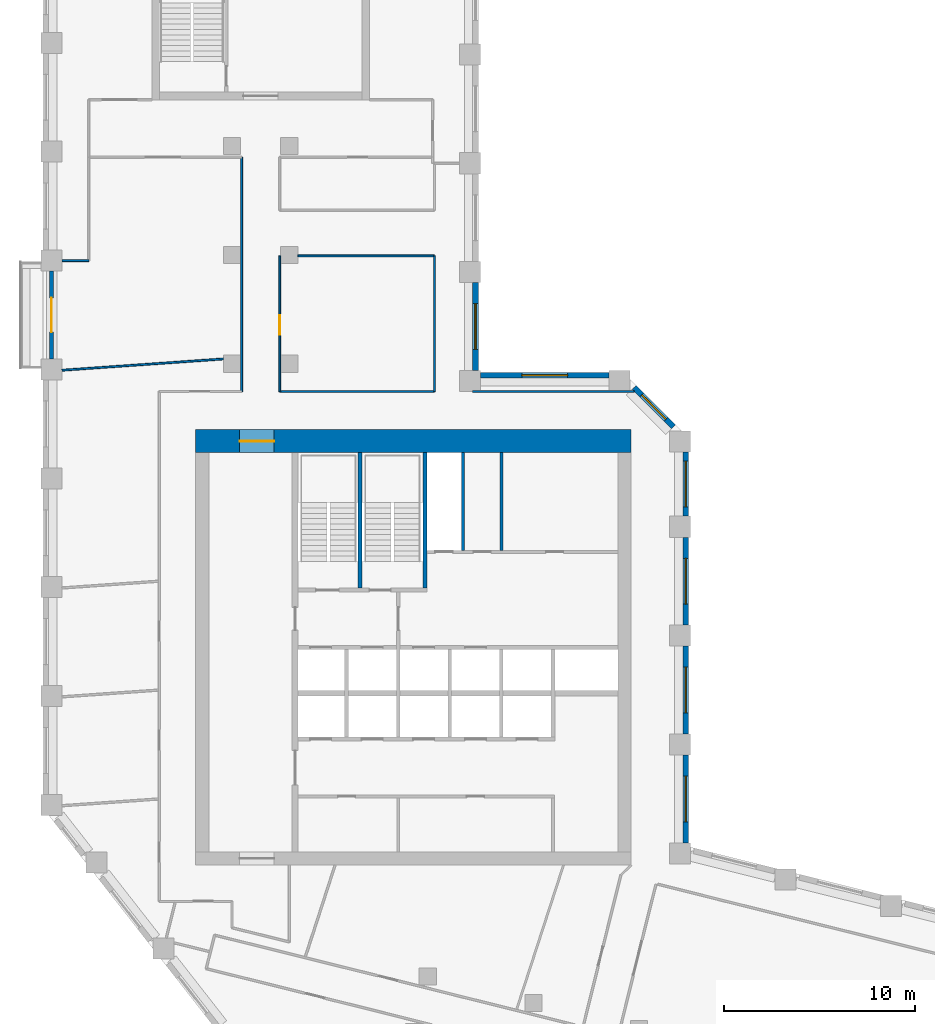
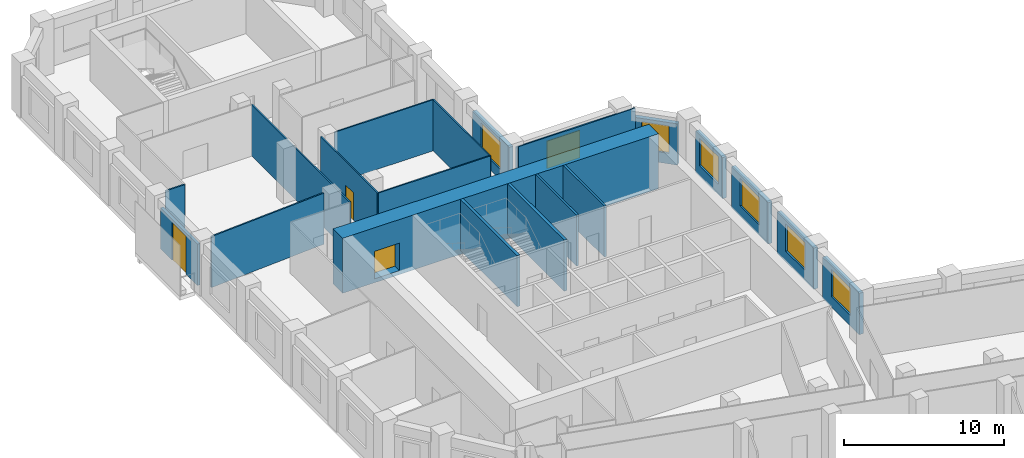
# One storey, part 6 of 10: 21 walls, 7 windows, 3 doors, 10 openings.
"""IFC4 building model written with IfcOpenShell, lengths in metres."""

import ifcopenshell
import ifcopenshell.guid

model = None  # the IFC model being written
_history = None  # IfcOwnerHistory: only IFC2X3 demands one
_inside = {}  # id of a spatial element -> (the spatial element, [elements in it])
_under = {}  # id of a project, library or spatial element -> (it, [spatial elements below it])
_declared = {}  # id of a project -> (the project, [libraries it declares])
_typed = {}  # id of a type object -> (the type object, [elements of that type])
_made_of = {}  # id of a material, layer set ... -> (it, [elements and type objects made of it])


def new_model(schema):
    """Start an empty IFC model of exactly this schema.

    Asked for "IFC4X3", IfcOpenShell would pick the latest addendum, in which some entities
    have other attributes; the version numbers below select the first issue.
    IFC2X3 requires an IfcOwnerHistory on every rooted entity: one is made here for all.
    """
    global model, _history
    if schema == "IFC4X3":
        model = ifcopenshell.file(schema_version=(4, 3, 0, 0))
    else:
        model = ifcopenshell.file(schema=schema)
    _inside.clear()
    _under.clear()
    _declared.clear()
    _typed.clear()
    _made_of.clear()
    _history = None
    if model.schema == "IFC2X3":
        org = make("IfcOrganization", Name="unknown")
        user = make(
            "IfcPersonAndOrganization",
            ThePerson=make("IfcPerson", FamilyName="unknown"),
            TheOrganization=org,
        )
        app = make(
            "IfcApplication",
            ApplicationDeveloper=org,
            Version="unknown",
            ApplicationFullName="unknown",
            ApplicationIdentifier="unknown",
        )
        _history = make(
            "IfcOwnerHistory",
            OwningUser=user,
            OwningApplication=app,
            ChangeAction="ADDED",
            CreationDate=0,
        )
    return model


def make(cls, **values):
    """One entity of the class cls with the attributes given. An attribute that is None is left unset."""
    return model.create_entity(
        cls, **{name: value for name, value in values.items() if value is not None}
    )


def rooted(cls, **values):
    """An entity with a GlobalId (a new one), such as an element, a storey or a relation."""
    return make(cls, GlobalId=ifcopenshell.guid.new(), OwnerHistory=_history, **values)


def si_unit(unit_type, name, prefix=None):
    """IfcSIUnit, for example si_unit("LENGTHUNIT", "METRE", prefix="MILLI")."""
    return make("IfcSIUnit", UnitType=unit_type, Prefix=prefix, Name=name)


def assignment(units):
    """IfcUnitAssignment: the units of a project."""
    return None if units is None else make("IfcUnitAssignment", Units=units)


def point(xyz):
    """IfcCartesianPoint."""
    return None if xyz is None else make("IfcCartesianPoint", Coordinates=xyz)


def direction(xyz):
    """IfcDirection."""
    return None if xyz is None else make("IfcDirection", DirectionRatios=xyz)


def frame(location, z_axis=None, x_axis=None):
    """IfcAxis2Placement3D, a coordinate frame: its origin and axes. An axis left out is left unset."""
    return make(
        "IfcAxis2Placement3D",
        Location=point(location),
        Axis=direction(z_axis),
        RefDirection=direction(x_axis),
    )


def frame_2d(location, x_axis=None):
    """IfcAxis2Placement2D, a coordinate frame in the plane: its origin and x axis."""
    return make(
        "IfcAxis2Placement2D", Location=point(location), RefDirection=direction(x_axis)
    )


def origin():
    """The frame at (0, 0, 0) with its axes left unset."""
    return frame((0.0, 0.0, 0.0))


def place(relative_to, where):
    """IfcLocalPlacement: puts the frame where relative to a parent placement (None: the world)."""
    return make(
        "IfcLocalPlacement", PlacementRelTo=relative_to, RelativePlacement=where
    )


def context(
    kind, dimensions, precision=None, world=None, true_north=None, identifier=None
):
    """IfcGeometricRepresentationContext, for example the 3D "Model" context."""
    return make(
        "IfcGeometricRepresentationContext",
        ContextIdentifier=identifier,
        ContextType=kind,
        CoordinateSpaceDimension=dimensions,
        Precision=precision,
        WorldCoordinateSystem=world,
        TrueNorth=true_north,
    )


def subcontext(parent, identifier, kind, view, scale=None):
    """IfcGeometricRepresentationSubContext, for example "Body" below "Model"."""
    return make(
        "IfcGeometricRepresentationSubContext",
        ContextIdentifier=identifier,
        ContextType=kind,
        ParentContext=parent,
        TargetScale=scale,
        TargetView=view,
    )


def project(units=None, contexts=None):
    """IfcProject with its units and contexts."""
    return rooted(
        "IfcProject",
        Name="project",
        RepresentationContexts=contexts,
        UnitsInContext=assignment(units),
    )


def spatial(cls, under=None, at=None, **own):
    """A site, building, storey or space (cls), placed at a placement, below another one or the project."""
    s = rooted(cls, ObjectPlacement=at, **own)
    if under is not None:
        _under.setdefault(under.id(), (under, []))[1].append(s)
    return s


def profile(cls, at=None, kind="AREA", **sizes):
    """A parametric profile (cls). Its sizes go by their IFC names, for example OverallWidth=200.0."""
    return make(cls, ProfileType=kind, Position=at, **sizes)


def rectangle(**sizes):
    """IfcRectangleProfileDef."""
    return profile("IfcRectangleProfileDef", **sizes)


def extrude(swept, where, along, depth):
    """IfcExtrudedAreaSolid: the profile swept, set in the frame where, extruded along a direction by depth."""
    return make(
        "IfcExtrudedAreaSolid",
        SweptArea=swept,
        Position=where,
        ExtrudedDirection=direction(along),
        Depth=depth,
    )


def shape(context_of_items, identifier, shape_type, items):
    """IfcShapeRepresentation: the items that make up one representation, for example the "Body"."""
    return make(
        "IfcShapeRepresentation",
        ContextOfItems=context_of_items,
        RepresentationIdentifier=identifier,
        RepresentationType=shape_type,
        Items=items,
    )


def material(Name=None, Category=None):
    """IfcMaterial."""
    return make("IfcMaterial", Name=Name, Category=Category)


def layer(
    of_material, thickness, ventilated=None, Name=None, Category=None, Priority=None
):
    """IfcMaterialLayer: one layer of a wall or slab, of a material (None: an air gap)."""
    return make(
        "IfcMaterialLayer",
        Material=of_material,
        LayerThickness=thickness,
        IsVentilated=ventilated,
        Name=Name,
        Category=Category,
        Priority=Priority,
    )


def layer_set(layers, Name=None):
    """IfcMaterialLayerSet."""
    return make("IfcMaterialLayerSet", MaterialLayers=layers, LayerSetName=Name)


def made_of(thing, what):
    """Note that an element or type object is made of a material, layer set ...; save() writes the relation."""
    if what is not None:
        _made_of.setdefault(what.id(), (what, []))[1].append(thing)
    return thing


def type_object(cls, material=None, **own):
    """A type object (cls), such as IfcWallType, which elements share."""
    return made_of(rooted(cls, **own), material)


def element(
    cls,
    number,
    at=None,
    inside=None,
    cuts=None,
    type_object=None,
    material=None,
    context=None,
    identifier="Body",
    shape_type=None,
    held_by="IfcProductDefinitionShape",
    body=None,
    shapes=None,
    **own,
):
    """One element of the class cls, such as IfcWall. Its Tag is "e" and its number.

    at: its placement. inside: the storey or other place that contains it. cuts: it is an
    opening in that element (IfcRelVoidsElement). A single representation is given by context,
    identifier, shape_type and body (its items); several are given by shapes. held_by: the class
    of the entity that holds the representations. save() writes the other relations.
    """
    e = rooted(cls, Tag="e%d" % number, ObjectPlacement=at, **own)
    if body is not None:
        shapes = [shape(context, identifier, shape_type, body)]
    if shapes is not None:
        e.Representation = make(held_by, Representations=shapes)
    if inside is not None:
        _inside.setdefault(inside.id(), (inside, []))[1].append(e)
    if cuts is not None:
        rooted(
            "IfcRelVoidsElement", RelatingBuildingElement=cuts, RelatedOpeningElement=e
        )
    if type_object is not None:
        _typed.setdefault(type_object.id(), (type_object, []))[1].append(e)
    return made_of(e, material)


def fill(opening, filler):
    """IfcRelFillsElement: the door or window that sits in an opening."""
    return rooted(
        "IfcRelFillsElement",
        RelatingOpeningElement=opening,
        RelatedBuildingElement=filler,
    )


def aggregate(whole, parts):
    """IfcRelAggregates: a whole, such as a stair, and the parts it consists of."""
    return rooted("IfcRelAggregates", RelatingObject=whole, RelatedObjects=parts)


def save(model, path):
    """Write the relations noted so far, then the file.

    IfcRelAggregates (storeys below a building ...), IfcRelContainedInSpatialStructure (elements
    in a storey), IfcRelDefinesByType, IfcRelAssociatesMaterial and IfcRelDeclares: one each for
    every whole, place, type object, material and project.
    """
    for whole, parts in _under.values():
        aggregate(whole, parts)
    for where, things in _inside.values():
        rooted(
            "IfcRelContainedInSpatialStructure",
            RelatedElements=things,
            RelatingStructure=where,
        )
    for kind, things in _typed.values():
        rooted("IfcRelDefinesByType", RelatedObjects=things, RelatingType=kind)
    for what, things in _made_of.values():
        rooted("IfcRelAssociatesMaterial", RelatedObjects=things, RelatingMaterial=what)
    for by, libraries in _declared.values():
        rooted("IfcRelDeclares", RelatingContext=by, RelatedDefinitions=libraries)
    model.write(path)


model = new_model("IFC4")

# Units and contexts
model_context = context("Model", 3, precision=1e-05, world=origin(), true_north=direction((0.0, 1.0)))
body_context = subcontext(model_context, "Body", "Model", "MODEL_VIEW")
ifc_project = project(units=[si_unit("LENGTHUNIT", "METRE"), si_unit("AREAUNIT", "SQUARE_METRE"), si_unit("VOLUMEUNIT", "CUBIC_METRE"), si_unit("PLANEANGLEUNIT", "RADIAN"), si_unit("MASSUNIT", "GRAM", prefix="KILO")], contexts=[model_context])

# Site, building, storey
site_placement = place(None, origin())
site = spatial("IfcSite", under=ifc_project, at=site_placement, CompositionType="ELEMENT")
building_placement = place(site_placement, origin())
building = spatial("IfcBuilding", under=site, at=building_placement, Name="Meshkara Civic Tower", CompositionType="ELEMENT")
storey_placement = place(building_placement, frame((0.0, 0.0, 238.199951171875)))
storey = spatial("IfcBuildingStorey", under=building, at=storey_placement, Name="L54", CompositionType="ELEMENT", Elevation=238.199951171875)

# Walls
ifc_material_1 = material(Name="Blockwork", Category="masonry")
ifc_layer_1 = layer(ifc_material_1, 0.14990234375)
ifc_layer_set_1 = layer_set([ifc_layer_1], Name="Core partition 150")
wall_type_1 = type_object("IfcWallType", Name="Core partition 150", PredefinedType="PARTITIONING", material=ifc_layer_set_1)
for number, where, z_axis, x_axis, name in (
    (1, (22.0, 30.574951171875, 0.0), (0.0, 0.0, 1.0), (0.0, 1.0, 0.0), "L54-C018"),
    (2, (24.0, 30.574951171875, 0.0), (0.0, 0.0, 1.0), (0.0, 1.0, 0.0), "L54-C020"),
):
    element("IfcWall", number, at=place(storey_placement, frame(where, z_axis=z_axis, x_axis=x_axis)), inside=storey, type_object=wall_type_1, Name=name, PredefinedType="PARTITIONING", context=body_context, shape_type="SweptSolid", body=[
        extrude(rectangle(XDim=5.125, YDim=0.14990234375, at=frame_2d((2.5625, 0.0))), origin(), (0.0, 0.0, 1.0), 3.900146484375),
    ])

# Wall, opening, door
ifc_material_2 = material(Name="Concrete C60", Category="concrete")
ifc_layer_2 = layer(ifc_material_2, 1.199951171875)
ifc_layer_set_2 = layer_set([ifc_layer_2], Name="Core ring wall 1200 C60")
wall_type_2 = type_object("IfcWallType", Name="Core ring wall 1200 C60", PredefinedType="SHEAR", material=ifc_layer_set_2)
wall_1_placement = place(storey_placement, frame((8.0, 36.300048828125, -0.300048828125), z_axis=(0.0, 0.0, 1.0), x_axis=(1.0, 0.0, 0.0)))
wall_1 = element("IfcWall", 3, at=wall_1_placement, inside=storey, type_object=wall_type_2, Name="L54-C002", PredefinedType="SHEAR", context=body_context, shape_type="SweptSolid", body=[
    extrude(rectangle(XDim=22.800048828125, YDim=1.199951171875, at=frame_2d((11.39990234375, 0.0))), origin(), (0.0, 0.0, 1.0), 4.2001953125),
])
opening_1_placement = place(wall_1_placement, frame((2.300048828125, 0.0, 0.300048828125)))
opening_1 = element("IfcOpeningElement", 4, at=opening_1_placement, cuts=wall_1, Name="Opening L54-K020", PredefinedType="OPENING", context=body_context, shape_type="SweptSolid", body=[
    extrude(rectangle(XDim=1.800048828125, YDim=2.10009765625, at=frame_2d((0.89990234375, 1.050048828125))), frame((0.0, 0.60986328125, 0.0), z_axis=(0.0, -1.0, 0.0), x_axis=(1.0, 0.0, 0.0)), (0.0, 0.0, 1.0), 1.219970703125),
])
ifc_material_3 = material(Name="Fire-rated door leaf in steel frame", Category="steel")
door_type_1 = type_object("IfcDoorType", Name="Core double door 1800 EI 60", OperationType="DOUBLE_DOOR_SINGLE_SWING", PredefinedType="DOOR", material=ifc_material_3)
door_1_placement = place(opening_1_placement, origin())
door_1 = element("IfcDoor", 5, at=door_1_placement, inside=storey, type_object=door_type_1, Name="L54-K020", OperationType="DOUBLE_DOOR_SINGLE_SWING", OverallHeight=2.10009765625, OverallWidth=1.800048828125, PredefinedType="DOOR", context=body_context, shape_type="SweptSolid", body=[
    extrude(rectangle(XDim=1.800048828125, YDim=2.10009765625, at=frame_2d((0.89990234375, 1.050048828125))), frame((0.0, 0.02490234375, 0.0), z_axis=(0.0, -1.0, 0.0), x_axis=(1.0, 0.0, 0.0)), (0.0, 0.0, 1.0), 0.050048828125),
])
fill(opening_1, door_1)

# Wall
ifc_material_4 = material(Name="Corridor wall 100")
ifc_layer_3 = layer(ifc_material_4, 0.10009765625)
ifc_layer_set_3 = layer_set([ifc_layer_3], Name="Corridor wall 100")
wall_type_3 = type_object("IfcWallType", Name="Corridor wall 100", PredefinedType="PARTITIONING", material=ifc_layer_set_3)
wall_2_placement = place(storey_placement, frame((10.39990234375, 51.169921875, 0.0), z_axis=(0.0, 0.0, 1.0), x_axis=(0.0, -1.0, 0.0)))
element("IfcWall", 6, at=wall_2_placement, inside=storey, type_object=wall_type_3, Name="L54-W012", PredefinedType="PARTITIONING", context=body_context, shape_type="SweptSolid", body=[
    extrude(rectangle(XDim=12.27001953125, YDim=0.10009765625, at=frame_2d((6.135009765625, 0.0))), origin(), (0.0, 0.0, 1.0), 3.900146484375),
])

# Wall, opening, door
wall_3_placement = place(storey_placement, frame((12.39990234375, 38.89990234375, 0.0), z_axis=(0.0, 0.0, 1.0), x_axis=(0.0, 1.0, 0.0)))
wall_3 = element("IfcWall", 7, at=wall_3_placement, inside=storey, type_object=wall_type_3, Name="L54-W013", PredefinedType="PARTITIONING", context=body_context, shape_type="SweptSolid", body=[
    extrude(rectangle(XDim=7.09619140625, YDim=0.10009765625, at=frame_2d((3.548095703125, 0.0))), origin(), (0.0, 0.0, 1.0), 3.900146484375),
])
opening_2_placement = place(wall_3_placement, frame((2.97998046875, 0.0, 0.0)))
opening_2 = element("IfcOpeningElement", 8, at=opening_2_placement, cuts=wall_3, Name="Opening L54-D018", PredefinedType="OPENING", context=body_context, shape_type="SweptSolid", body=[
    extrude(rectangle(XDim=1.0, YDim=2.10009765625, at=frame_2d((0.5, 1.050048828125))), frame((0.0, 0.06005859375, 0.0), z_axis=(0.0, -1.0, 0.0), x_axis=(1.0, 0.0, 0.0)), (0.0, 0.0, 1.0), 0.1201171875),
])
ifc_material_5 = material(Name="Door 1000 x 2100")
door_type_2 = type_object("IfcDoorType", Name="Door 1000 x 2100", OperationType="SINGLE_SWING_LEFT", PredefinedType="DOOR", material=ifc_material_5)
door_2_placement = place(opening_2_placement, origin())
door_2 = element("IfcDoor", 9, at=door_2_placement, inside=storey, type_object=door_type_2, Name="L54-D018", OperationType="SINGLE_SWING_RIGHT", OverallHeight=2.10009765625, OverallWidth=1.0, PredefinedType="DOOR", context=body_context, shape_type="SweptSolid", body=[
    extrude(rectangle(XDim=1.0, YDim=2.10009765625, at=frame_2d((0.5, 1.050048828125))), frame((0.0, 0.02490234375, 0.0), z_axis=(0.0, -1.0, 0.0), x_axis=(1.0, 0.0, 0.0)), (0.0, 0.0, 1.0), 0.050048828125),
])
fill(opening_2, door_2)

# Walls
wall_4_placement = place(storey_placement, frame((13.35009765625, 46.0, 0.0), z_axis=(0.0, 0.0, 1.0), x_axis=(1.0, 0.0, 0.0)))
element("IfcWall", 10, at=wall_4_placement, inside=storey, type_object=wall_type_3, Name="L54-W017", PredefinedType="PARTITIONING", context=body_context, shape_type="SweptSolid", body=[
    extrude(rectangle(XDim=7.14990234375, YDim=0.10009765625, at=frame_2d((3.574951171875, 0.0))), origin(), (0.0, 0.0, 1.0), 3.900146484375),
])
wall_5_placement = place(storey_placement, frame((20.5, 38.89990234375, 0.0), z_axis=(0.0, 0.0, 1.0), x_axis=(-1.0, 0.0, 0.0)))
element("IfcWall", 11, at=wall_5_placement, inside=storey, type_object=wall_type_3, Name="L54-W020", PredefinedType="PARTITIONING", context=body_context, shape_type="SweptSolid", body=[
    extrude(rectangle(XDim=8.10009765625, YDim=0.10009765625, at=frame_2d((4.050048828125, 0.0))), origin(), (0.0, 0.0, 1.0), 3.900146484375),
])
wall_6_placement = place(storey_placement, frame((20.5, 46.0, 0.0), z_axis=(0.0, 0.0, 1.0), x_axis=(0.0, -1.0, 0.0)))
element("IfcWall", 12, at=wall_6_placement, inside=storey, type_object=wall_type_3, Name="L54-W021", PredefinedType="PARTITIONING", context=body_context, shape_type="SweptSolid", body=[
    extrude(rectangle(XDim=7.10009765625, YDim=0.10009765625, at=frame_2d((3.550048828125, 0.0))), origin(), (0.0, 0.0, 1.0), 3.900146484375),
])
wall_7_placement = place(storey_placement, frame((30.9560546875, 38.89990234375, 0.0), z_axis=(0.0, 0.0, 1.0), x_axis=(-1.0, 0.0, 0.0)))
element("IfcWall", 13, at=wall_7_placement, inside=storey, type_object=wall_type_3, Name="L54-W029", PredefinedType="PARTITIONING", context=body_context, shape_type="SweptSolid", body=[
    extrude(rectangle(XDim=8.4560546875, YDim=0.10009765625, at=frame_2d((4.22802734375, 0.0))), origin(), (0.0, 0.0, 1.0), 3.900146484375),
])

# Wall, opening, window
ifc_material_6 = material(Name="Insulated infill panel with bronze anodised aluminium cladding", Category="aluminium")
ifc_layer_4 = layer(ifc_material_6, 0.300048828125)
ifc_layer_set_4 = layer_set([ifc_layer_4], Name="EXTERNAL INFILL WALL 300")
wall_type_4 = type_object("IfcWallType", Name="EXTERNAL INFILL WALL 300", PredefinedType="SOLIDWALL", material=ifc_layer_set_4)
wall_8_placement = place(storey_placement, frame((33.64990234375, 15.26904296875, 0.0), z_axis=(0.0, 0.0, 1.0), x_axis=(0.0, 1.0, 0.0)))
wall_8 = element("IfcWall", 14, at=wall_8_placement, inside=storey, type_object=wall_type_4, Name="External wall", PredefinedType="SOLIDWALL", context=body_context, shape_type="SweptSolid", body=[
    extrude(rectangle(XDim=4.599853515625, YDim=0.300048828125, at=frame_2d((2.2998046875, 0.0))), origin(), (0.0, 0.0, 1.0), 3.150146484375),
])
opening_3_placement = place(wall_8_placement, frame((1.10009765625, 0.0, 0.800048828125)))
opening_3 = element("IfcOpeningElement", 15, at=opening_3_placement, cuts=wall_8, Name="Opening W7", PredefinedType="OPENING", context=body_context, shape_type="SweptSolid", body=[
    extrude(rectangle(XDim=2.39990234375, YDim=2.10009765625, at=frame_2d((1.199951171875, 1.050048828125))), frame((0.0, 0.159912109375, 0.0), z_axis=(0.0, -1.0, 0.0), x_axis=(1.0, 0.0, 0.0)), (0.0, 0.0, 1.0), 0.320068359375),
])
ifc_material_7 = material(Name="Tinted double glazing", Category="glass")
window_type_1 = type_object("IfcWindowType", Name="WINDOW 2400x2100", PartitioningType="DOUBLE_PANEL_VERTICAL", PredefinedType="WINDOW", material=ifc_material_7)
window_1_placement = place(opening_3_placement, origin())
window_1 = element("IfcWindow", 16, at=window_1_placement, inside=storey, type_object=window_type_1, Name="Window", OverallHeight=2.10009765625, OverallWidth=2.39990234375, PartitioningType="DOUBLE_PANEL_VERTICAL", PredefinedType="WINDOW", context=body_context, shape_type="SweptSolid", body=[
    extrude(rectangle(XDim=2.39990234375, YDim=2.10009765625, at=frame_2d((1.199951171875, 1.050048828125))), frame((0.0, 0.030029296875, 0.0), z_axis=(0.0, -1.0, 0.0), x_axis=(1.0, 0.0, 0.0)), (0.0, 0.0, 1.0), 0.06005859375),
])
fill(opening_3, window_1)

wall_9_placement = place(storey_placement, frame((33.64990234375, 20.968994140625, 0.0), z_axis=(0.0, 0.0, 1.0), x_axis=(0.0, 1.0, 0.0)))
wall_9 = element("IfcWall", 17, at=wall_9_placement, inside=storey, type_object=wall_type_4, Name="External wall", PredefinedType="SOLIDWALL", context=body_context, shape_type="SweptSolid", body=[
    extrude(rectangle(XDim=4.60009765625, YDim=0.300048828125, at=frame_2d((2.300048828125, 0.0))), origin(), (0.0, 0.0, 1.0), 3.150146484375),
])
opening_4_placement = place(wall_9_placement, frame((1.10009765625, 0.0, 0.800048828125)))
opening_4 = element("IfcOpeningElement", 18, at=opening_4_placement, cuts=wall_9, Name="Opening W7", PredefinedType="OPENING", context=body_context, shape_type="SweptSolid", body=[
    extrude(rectangle(XDim=2.39990234375, YDim=2.10009765625, at=frame_2d((1.199951171875, 1.050048828125))), frame((0.0, 0.159912109375, 0.0), z_axis=(0.0, -1.0, 0.0), x_axis=(1.0, 0.0, 0.0)), (0.0, 0.0, 1.0), 0.320068359375),
])
window_2_placement = place(opening_4_placement, origin())
window_2 = element("IfcWindow", 19, at=window_2_placement, inside=storey, type_object=window_type_1, Name="Window", OverallHeight=2.10009765625, OverallWidth=2.39990234375, PartitioningType="DOUBLE_PANEL_VERTICAL", PredefinedType="WINDOW", context=body_context, shape_type="SweptSolid", body=[
    extrude(rectangle(XDim=2.39990234375, YDim=2.10009765625, at=frame_2d((1.199951171875, 1.050048828125))), frame((0.0, 0.030029296875, 0.0), z_axis=(0.0, -1.0, 0.0), x_axis=(1.0, 0.0, 0.0)), (0.0, 0.0, 1.0), 0.06005859375),
])
fill(opening_4, window_2)

wall_10_placement = place(storey_placement, frame((33.64990234375, 26.6689453125, 0.0), z_axis=(0.0, 0.0, 1.0), x_axis=(0.0, 1.0, 0.0)))
wall_10 = element("IfcWall", 20, at=wall_10_placement, inside=storey, type_object=wall_type_4, Name="External wall", PredefinedType="SOLIDWALL", context=body_context, shape_type="SweptSolid", body=[
    extrude(rectangle(XDim=4.60009765625, YDim=0.300048828125, at=frame_2d((2.300048828125, 0.0))), origin(), (0.0, 0.0, 1.0), 3.150146484375),
])
opening_5_placement = place(wall_10_placement, frame((1.10009765625, 0.0, 0.800048828125)))
opening_5 = element("IfcOpeningElement", 21, at=opening_5_placement, cuts=wall_10, Name="Opening W7", PredefinedType="OPENING", context=body_context, shape_type="SweptSolid", body=[
    extrude(rectangle(XDim=2.39990234375, YDim=2.10009765625, at=frame_2d((1.199951171875, 1.050048828125))), frame((0.0, 0.159912109375, 0.0), z_axis=(0.0, -1.0, 0.0), x_axis=(1.0, 0.0, 0.0)), (0.0, 0.0, 1.0), 0.320068359375),
])
window_3_placement = place(opening_5_placement, origin())
window_3 = element("IfcWindow", 22, at=window_3_placement, inside=storey, type_object=window_type_1, Name="Window", OverallHeight=2.10009765625, OverallWidth=2.39990234375, PartitioningType="DOUBLE_PANEL_VERTICAL", PredefinedType="WINDOW", context=body_context, shape_type="SweptSolid", body=[
    extrude(rectangle(XDim=2.39990234375, YDim=2.10009765625, at=frame_2d((1.199951171875, 1.050048828125))), frame((0.0, 0.030029296875, 0.0), z_axis=(0.0, -1.0, 0.0), x_axis=(1.0, 0.0, 0.0)), (0.0, 0.0, 1.0), 0.06005859375),
])
fill(opening_5, window_3)

wall_11_placement = place(storey_placement, frame((33.64990234375, 32.368896484375, 0.0), z_axis=(0.0, 0.0, 1.0), x_axis=(0.0, 1.0, 0.0)))
wall_11 = element("IfcWall", 23, at=wall_11_placement, inside=storey, type_object=wall_type_4, Name="External wall", PredefinedType="SOLIDWALL", context=body_context, shape_type="SweptSolid", body=[
    extrude(rectangle(XDim=3.375, YDim=0.300048828125, at=frame_2d((1.6875, 0.0))), origin(), (0.0, 0.0, 1.0), 3.150146484375),
])
opening_6_placement = place(wall_11_placement, frame((0.488037109375, 0.0, 0.800048828125)))
opening_6 = element("IfcOpeningElement", 24, at=opening_6_placement, cuts=wall_11, Name="Opening W7", PredefinedType="OPENING", context=body_context, shape_type="SweptSolid", body=[
    extrude(rectangle(XDim=2.39990234375, YDim=2.10009765625, at=frame_2d((1.199951171875, 1.050048828125))), frame((0.0, 0.159912109375, 0.0), z_axis=(0.0, -1.0, 0.0), x_axis=(1.0, 0.0, 0.0)), (0.0, 0.0, 1.0), 0.320068359375),
])
window_4_placement = place(opening_6_placement, origin())
window_4 = element("IfcWindow", 25, at=window_4_placement, inside=storey, type_object=window_type_1, Name="Window", OverallHeight=2.10009765625, OverallWidth=2.39990234375, PartitioningType="DOUBLE_PANEL_VERTICAL", PredefinedType="WINDOW", context=body_context, shape_type="SweptSolid", body=[
    extrude(rectangle(XDim=2.39990234375, YDim=2.10009765625, at=frame_2d((1.199951171875, 1.050048828125))), frame((0.0, 0.030029296875, 0.0), z_axis=(0.0, -1.0, 0.0), x_axis=(1.0, 0.0, 0.0)), (0.0, 0.0, 1.0), 0.06005859375),
])
fill(opening_6, window_4)

wall_12_placement = place(storey_placement, frame((33.011962890625, 37.055908203125, 0.0), z_axis=(0.0, 0.0, 1.0), x_axis=(-0.707064797706, 0.707148762175, 0.0)))
wall_12 = element("IfcWall", 26, at=wall_12_placement, inside=storey, type_object=wall_type_4, Name="External wall", PredefinedType="SOLIDWALL", context=body_context, shape_type="SweptSolid", body=[
    extrude(rectangle(XDim=2.90771484375, YDim=0.300048828125, at=frame_2d((1.453857421875, 0.0))), origin(), (0.0, 0.0, 1.0), 3.150146484375),
])
opening_7_placement = place(wall_12_placement, frame((0.553955078125, 0.0, 0.800048828125)))
opening_7 = element("IfcOpeningElement", 27, at=opening_7_placement, cuts=wall_12, Name="Opening W9", PredefinedType="OPENING", context=body_context, shape_type="SweptSolid", body=[
    extrude(rectangle(XDim=1.800048828125, YDim=2.10009765625, at=frame_2d((0.89990234375, 1.050048828125))), frame((0.0, 0.159912109375, 0.0), z_axis=(0.0, -1.0, 0.0), x_axis=(1.0, 0.0, 0.0)), (0.0, 0.0, 1.0), 0.320068359375),
])
ifc_material_8 = material(Name="Tinted double glazing", Category="glass")
window_type_2 = type_object("IfcWindowType", Name="WINDOW 1800x2100", PartitioningType="DOUBLE_PANEL_VERTICAL", PredefinedType="WINDOW", material=ifc_material_8)
window_5_placement = place(opening_7_placement, origin())
window_5 = element("IfcWindow", 28, at=window_5_placement, inside=storey, type_object=window_type_2, Name="Window", OverallHeight=2.10009765625, OverallWidth=1.800048828125, PartitioningType="DOUBLE_PANEL_VERTICAL", PredefinedType="WINDOW", context=body_context, shape_type="SweptSolid", body=[
    extrude(rectangle(XDim=1.800048828125, YDim=2.10009765625, at=frame_2d((0.89990234375, 1.050048828125))), frame((0.0, 0.030029296875, 0.0), z_axis=(0.0, -1.0, 0.0), x_axis=(1.0, 0.0, 0.0)), (0.0, 0.0, 1.0), 0.06005859375),
])
fill(opening_7, window_5)

wall_13_placement = place(storey_placement, frame((29.64404296875, 39.75, 0.0), z_axis=(0.0, 0.0, 1.0), x_axis=(-1.0, 0.0, 0.0)))
wall_13 = element("IfcWall", 29, at=wall_13_placement, inside=storey, type_object=wall_type_4, Name="External wall", PredefinedType="SOLIDWALL", context=body_context, shape_type="SweptSolid", body=[
    extrude(rectangle(XDim=6.744140625, YDim=0.300048828125, at=frame_2d((3.3720703125, 0.0))), origin(), (0.0, 0.0, 1.0), 3.150146484375),
])
opening_8_placement = place(wall_13_placement, frame((2.172119140625, 0.0, 0.800048828125)))
opening_8 = element("IfcOpeningElement", 30, at=opening_8_placement, cuts=wall_13, Name="Opening W7", PredefinedType="OPENING", context=body_context, shape_type="SweptSolid", body=[
    extrude(rectangle(XDim=2.39990234375, YDim=2.10009765625, at=frame_2d((1.199951171875, 1.050048828125))), frame((0.0, 0.159912109375, 0.0), z_axis=(0.0, -1.0, 0.0), x_axis=(1.0, 0.0, 0.0)), (0.0, 0.0, 1.0), 0.320068359375),
])
window_6_placement = place(opening_8_placement, origin())
window_6 = element("IfcWindow", 31, at=window_6_placement, inside=storey, type_object=window_type_1, Name="Window", OverallHeight=2.10009765625, OverallWidth=2.39990234375, PartitioningType="DOUBLE_PANEL_VERTICAL", PredefinedType="WINDOW", context=body_context, shape_type="SweptSolid", body=[
    extrude(rectangle(XDim=2.39990234375, YDim=2.10009765625, at=frame_2d((1.199951171875, 1.050048828125))), frame((0.0, 0.030029296875, 0.0), z_axis=(0.0, -1.0, 0.0), x_axis=(1.0, 0.0, 0.0)), (0.0, 0.0, 1.0), 0.06005859375),
])
fill(opening_8, window_6)

wall_14_placement = place(storey_placement, frame((22.64990234375, 40.0, 0.0), z_axis=(0.0, 0.0, 1.0), x_axis=(0.0, 1.0, 0.0)))
wall_14 = element("IfcWall", 32, at=wall_14_placement, inside=storey, type_object=wall_type_4, Name="External wall", PredefinedType="SOLIDWALL", context=body_context, shape_type="SweptSolid", body=[
    extrude(rectangle(XDim=4.60009765625, YDim=0.300048828125, at=frame_2d((2.300048828125, 0.0))), origin(), (0.0, 0.0, 1.0), 3.150146484375),
])
opening_9_placement = place(wall_14_placement, frame((1.10009765625, 0.0, 0.800048828125)))
opening_9 = element("IfcOpeningElement", 33, at=opening_9_placement, cuts=wall_14, Name="Opening W7", PredefinedType="OPENING", context=body_context, shape_type="SweptSolid", body=[
    extrude(rectangle(XDim=2.39990234375, YDim=2.10009765625, at=frame_2d((1.199951171875, 1.050048828125))), frame((0.0, 0.159912109375, 0.0), z_axis=(0.0, -1.0, 0.0), x_axis=(1.0, 0.0, 0.0)), (0.0, 0.0, 1.0), 0.320068359375),
])
window_7_placement = place(opening_9_placement, origin())
window_7 = element("IfcWindow", 34, at=window_7_placement, inside=storey, type_object=window_type_1, Name="Window", OverallHeight=2.10009765625, OverallWidth=2.39990234375, PartitioningType="DOUBLE_PANEL_VERTICAL", PredefinedType="WINDOW", context=body_context, shape_type="SweptSolid", body=[
    extrude(rectangle(XDim=2.39990234375, YDim=2.10009765625, at=frame_2d((1.199951171875, 1.050048828125))), frame((0.0, 0.030029296875, 0.0), z_axis=(0.0, -1.0, 0.0), x_axis=(1.0, 0.0, 0.0)), (0.0, 0.0, 1.0), 0.06005859375),
])
fill(opening_9, window_7)

# Wall, opening, door
ifc_material_9 = material(Name="Insulated infill panel with bronze anodised aluminium cladding", Category="aluminium")
ifc_layer_5 = layer(ifc_material_9, 0.199951171875)
ifc_layer_set_5 = layer_set([ifc_layer_5], Name="LOGGIA BACK WALL 200")
wall_type_5 = type_object("IfcWallType", Name="LOGGIA BACK WALL 200", PredefinedType="SOLIDWALL", material=ifc_layer_set_5)
wall_15_placement = place(storey_placement, frame((0.449951171875, 45.205078125, 0.0), z_axis=(0.0, 0.0, 1.0), x_axis=(0.0, -1.0, 0.0)))
wall_15 = element("IfcWall", 35, at=wall_15_placement, inside=storey, type_object=wall_type_5, Name="Loggia wall", PredefinedType="SOLIDWALL", context=body_context, shape_type="SweptSolid", body=[
    extrude(rectangle(XDim=4.60009765625, YDim=0.199951171875, at=frame_2d((2.300048828125, 0.0))), origin(), (0.0, 0.0, 1.0), 3.150146484375),
])
opening_10_placement = place(wall_15_placement, frame((1.39990234375, 0.0, 0.0)))
opening_10 = element("IfcOpeningElement", 36, at=opening_10_placement, cuts=wall_15, Name="Opening L54-L001", PredefinedType="OPENING", context=body_context, shape_type="SweptSolid", body=[
    extrude(rectangle(XDim=1.800048828125, YDim=2.89990234375, at=frame_2d((0.89990234375, 1.449951171875))), frame((0.0, 0.10986328125, 0.0), z_axis=(0.0, -1.0, 0.0), x_axis=(1.0, 0.0, 0.0)), (0.0, 0.0, 1.0), 0.219970703125),
])
ifc_material_10 = material(Name="Tinted double glazing", Category="glass")
door_type_3 = type_object("IfcDoorType", Name="LOGGIA DOOR 1800x2900", OperationType="DOUBLE_DOOR_SINGLE_SWING", PredefinedType="DOOR", material=ifc_material_10)
door_3_placement = place(opening_10_placement, origin())
door_3 = element("IfcDoor", 37, at=door_3_placement, inside=storey, type_object=door_type_3, Name="L54-L001", OperationType="DOUBLE_DOOR_SINGLE_SWING", OverallHeight=2.89990234375, OverallWidth=1.800048828125, PredefinedType="DOOR", context=body_context, shape_type="SweptSolid", body=[
    extrude(rectangle(XDim=1.800048828125, YDim=2.89990234375, at=frame_2d((0.89990234375, 1.449951171875))), frame((0.0, 0.02490234375, 0.0), z_axis=(0.0, -1.0, 0.0), x_axis=(1.0, 0.0, 0.0)), (0.0, 0.0, 1.0), 0.050048828125),
])
fill(opening_10, door_3)

# Walls
ifc_material_11 = material(Name="Partition 100")
ifc_layer_6 = layer(ifc_material_11, 0.10009765625)
ifc_layer_set_6 = layer_set([ifc_layer_6], Name="Partition 100")
wall_type_6 = type_object("IfcWallType", Name="Partition 100", PredefinedType="PARTITIONING", material=ifc_layer_set_6)
wall_16_placement = place(storey_placement, frame((2.39990234375, 45.7548828125, 0.0), z_axis=(0.0, 0.0, 1.0), x_axis=(-1.0, 0.0, 0.0)))
element("IfcWall", 38, at=wall_16_placement, inside=storey, type_object=wall_type_6, Name="L54-W038", PredefinedType="PARTITIONING", context=body_context, shape_type="SweptSolid", body=[
    extrude(rectangle(XDim=1.39990234375, YDim=0.10009765625, at=frame_2d((0.699951171875, 0.0))), origin(), (0.0, 0.0, 1.0), 3.900146484375),
])
wall_17_placement = place(storey_placement, frame((9.449951171875, 40.60400390625, 0.0), z_axis=(0.0, 0.0, 1.0), x_axis=(-0.997562519498, -0.069778361206, 0.0)))
element("IfcWall", 39, at=wall_17_placement, inside=storey, type_object=wall_type_6, Name="L54-W045", PredefinedType="PARTITIONING", context=body_context, shape_type="SweptSolid", body=[
    extrude(rectangle(XDim=8.470703125, YDim=0.10009765625, at=frame_2d((4.2353515625, 0.0))), origin(), (0.0, 0.0, 1.0), 3.900146484375),
])
ifc_material_12 = material(Name="Concrete C40/50", Category="concrete")
ifc_layer_7 = layer(ifc_material_12, 0.199951171875)
ifc_layer_set_7 = layer_set([ifc_layer_7], Name="Stair enclosure wall 200 C40/50")
wall_type_7 = type_object("IfcWallType", Name="Stair enclosure wall 200 C40/50", PredefinedType="SOLIDWALL", material=ifc_layer_set_7)
for number, where, z_axis, x_axis, name in (
    (40, (16.60009765625, 28.60009765625, 0.0), (0.0, 0.0, 1.0), (0.0, 1.0, 0.0), "L54-C013"),
    (41, (20.0, 28.60009765625, 0.0), (0.0, 0.0, 1.0), (0.0, 1.0, 0.0), "L54-C016"),
):
    element("IfcWall", number, at=place(storey_placement, frame(where, z_axis=z_axis, x_axis=x_axis)), inside=storey, type_object=wall_type_7, Name=name, PredefinedType="SOLIDWALL", context=body_context, shape_type="SweptSolid", body=[
        extrude(rectangle(XDim=7.099853515625, YDim=0.199951171875, at=frame_2d((3.5498046875, 0.0))), origin(), (0.0, 0.0, 1.0), 3.900146484375),
    ])

save(model, "model.ifc")
